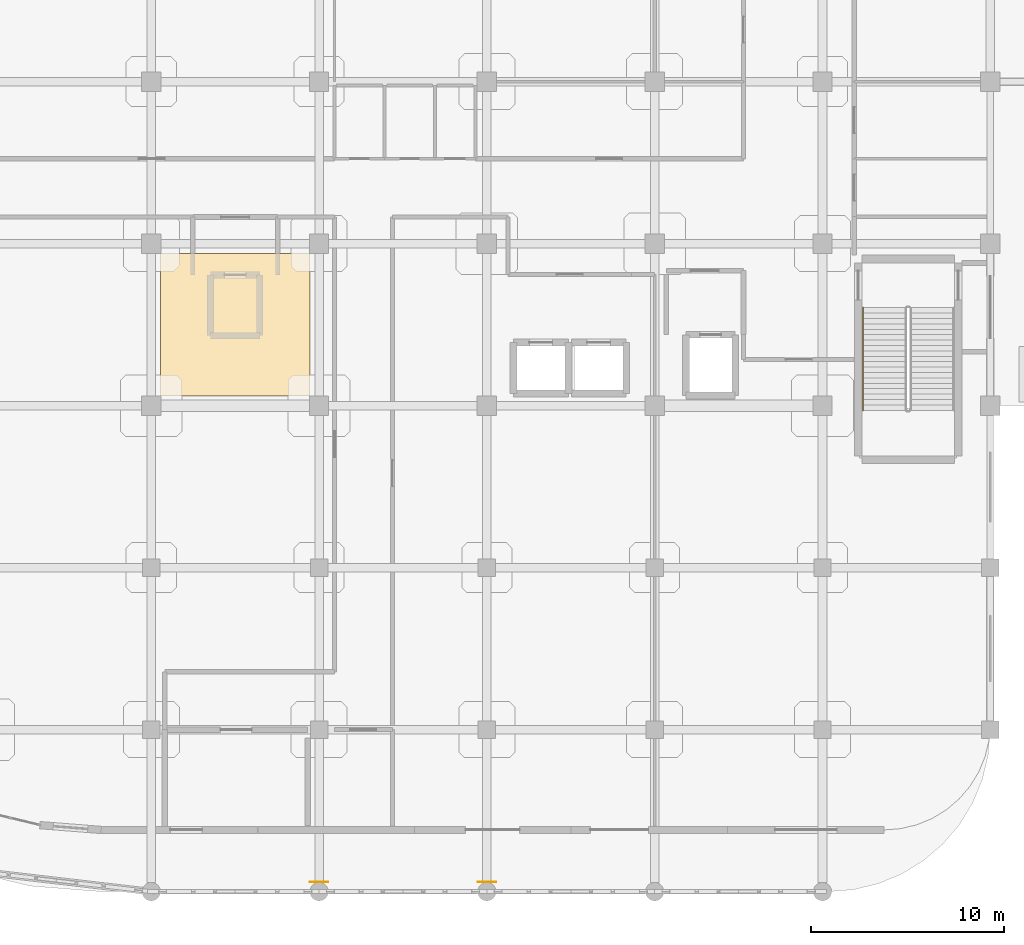
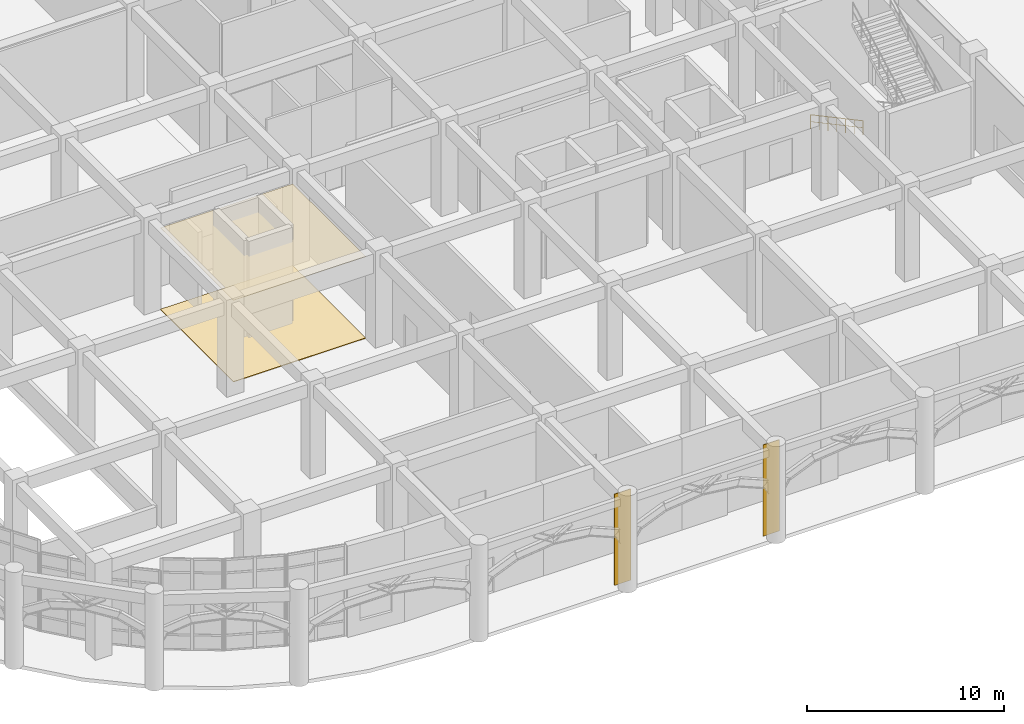
# One storey, part 73 of 82: 4 coverings, 1 railing.
"""IFC4 building model written with IfcOpenShell, lengths in metres."""

from ifc_helpers import new_model, si_unit, derived_unit, direction, frame, origin, origin_2d, place, context, subcontext, project, spatial, polyline, rectangle, circle, outline, extrude, material, layer, layer_set, type_object, element, save


model = new_model("IFC4")

# Units and contexts
model_context = context("Model", 3, precision=1e-05, world=origin(), true_north=direction((0.0, 1.0)))
body_context = subcontext(model_context, "Body", "Model", "MODEL_VIEW")
ifc_project = project(units=[si_unit("LENGTHUNIT", "METRE"), si_unit("AREAUNIT", "SQUARE_METRE"), si_unit("VOLUMEUNIT", "CUBIC_METRE"), si_unit("PLANEANGLEUNIT", "RADIAN"), si_unit("MASSUNIT", "GRAM", prefix="KILO"), derived_unit("THERMALTRANSMITTANCEUNIT", [(si_unit("MASSUNIT", "GRAM", prefix="KILO"), 1), (si_unit("TIMEUNIT", "SECOND"), -3), (si_unit("THERMODYNAMICTEMPERATUREUNIT", "KELVIN"), -1)])], contexts=[model_context])

# Site, building, storey
site_placement = place(None, origin())
site = spatial("IfcSite", under=ifc_project, at=site_placement, CompositionType="ELEMENT")
building_placement = place(site_placement, origin())
building = spatial("IfcBuilding", under=site, at=building_placement, Name="Qinzheling Arcade Emporium", CompositionType="ELEMENT")
storey_placement = place(building_placement, origin())
storey = spatial("IfcBuildingStorey", under=building, at=storey_placement, Name="L01", CompositionType="ELEMENT", Elevation=0.0)

# Coverings
ifc_material_1 = material(Name="Glazed cream terracotta rainscreen cladding", Category="masonry")
ifc_layer_1 = layer(ifc_material_1, 0.044921875, Name="Glazed cream terracotta rainscreen cladding", Category="masonry")
ifc_layer_set_1 = layer_set([ifc_layer_1], Name="Glazed cream terracotta rainscreen cladding")
covering_type_1 = type_object("IfcCoveringType", Name="Glazed Terracotta Pier Cladding Casing 45", PredefinedType="CLADDING", material=ifc_layer_set_1)
for number, where, z_axis, x_axis, name in (
    (1, (34.800048828125, 0.5, 0.0), (0.0, 0.0, 1.0), (1.0, 0.0, 0.0), "Terracotta Pier Cladding L01 1"),
    (2, (43.5, 0.5, 0.0), (0.0, 0.0, 1.0), (1.0, 0.0, 0.0), "Terracotta Pier Cladding L01 2"),
):
    element("IfcCovering", number, at=place(storey_placement, frame(where, z_axis=z_axis, x_axis=x_axis)), inside=storey, type_object=covering_type_1, Name=name, PredefinedType="CLADDING", context=body_context, shape_type="SweptSolid", body=[
        extrude(rectangle(XDim=0.949951171875, YDim=0.044921875, at=origin_2d()), origin(), (0.0, 0.0, 1.0), 5.64990234375),
    ])
ifc_material_2 = material(Name="Mineral-fibre acoustic ceiling board")
ifc_layer_2 = layer(ifc_material_2, 0.02490234375, Name="Mineral-fibre acoustic ceiling board")
ifc_layer_set_2 = layer_set([ifc_layer_2], Name="Mineral-fibre acoustic ceiling board")
covering_type_2 = type_object("IfcCoveringType", Name="Perforated Mineral Acoustic Ceiling 25", PredefinedType="CEILING", material=ifc_layer_set_2)
covering_1_placement = place(storey_placement, frame((0.0, 0.0, 5.050048828125)))
element("IfcCovering", 3, at=covering_1_placement, inside=storey, type_object=covering_type_2, Name="Acoustic Ceiling L01", PredefinedType="CEILING", context=body_context, shape_type="SweptSolid", body=[
    extrude(outline(polyline([(26.580078125, 25.699951171875), (34.320068359375, 25.699951171875), (34.320068359375, 33.10009765625), (26.580078125, 33.10009765625), (26.580078125, 25.699951171875)])), origin(), (0.0, 0.0, 1.0), 0.02490234375),
])
ifc_material_3 = material(Name="Polished terrazzo stone finish", Category="masonry")
ifc_layer_3 = layer(ifc_material_3, 0.034912109375, Name="Polished terrazzo stone finish", Category="masonry")
ifc_layer_set_3 = layer_set([ifc_layer_3], Name="Polished terrazzo stone finish")
covering_type_3 = type_object("IfcCoveringType", Name="Polished Terrazzo Retail Flooring 35", PredefinedType="FLOORING", material=ifc_layer_set_3)
covering_2_placement = place(storey_placement, origin())
element("IfcCovering", 4, at=covering_2_placement, inside=storey, type_object=covering_type_3, Name="Terrazzo Flooring L01", PredefinedType="FLOORING", context=body_context, shape_type="SweptSolid", body=[
    extrude(outline(polyline([(26.580078125, 25.699951171875), (34.320068359375, 25.699951171875), (34.320068359375, 33.10009765625), (26.580078125, 33.10009765625), (26.580078125, 25.699951171875)])), origin(), (0.0, 0.0, 1.0), 0.034912109375),
])

# Railing
ifc_material_4 = material(Name="Brushed stainless steel 304", Category="steel")
railing_type = type_object("IfcRailingType", Name="Stainless Steel Wall Handrail 900", PredefinedType="HANDRAIL", material=ifc_material_4)
railing_placement = place(storey_placement, frame((63.0, 30.280029296875, 0.14990234375)))
element("IfcRailing", 5, at=railing_placement, inside=storey, type_object=railing_type, Name="L01 ST01 stair handrail 1", PredefinedType="HANDRAIL", context=body_context, shape_type="SweptSolid", body=[
    extrude(circle(Radius=0.02392578125, at=origin_2d()), frame((0.0, 0.0, 0.8759765625), z_axis=(0.0, -0.881475760486, 0.472229270245), x_axis=(1.0, 0.0, 0.0)), (0.0, 0.0, 1.0), 6.035400390625),
    extrude(circle(Radius=0.01611328125, at=origin_2d()), frame((0.0, 0.0, 0.449951171875), z_axis=(0.0, -0.881475760486, 0.472229270245), x_axis=(1.0, 0.0, 0.0)), (0.0, 0.0, 1.0), 6.035400390625),
    extrude(circle(Radius=0.02099609375, at=origin_2d()), origin(), (0.0, 0.0, 1.0), 0.851806640625),
    extrude(circle(Radius=0.02099609375, at=origin_2d()), frame((0.0, -0.88671875, 0.47509765625)), (0.0, 0.0, 1.0), 0.851806640625),
    extrude(circle(Radius=0.02099609375, at=origin_2d()), frame((0.0, -1.7734375, 0.949951171875)), (0.0, 0.0, 1.0), 0.851806640625),
    extrude(circle(Radius=0.02099609375, at=origin_2d()), frame((0.0, -2.66015625, 1.425048828125)), (0.0, 0.0, 1.0), 0.851806640625),
    extrude(circle(Radius=0.02099609375, at=origin_2d()), frame((0.0, -3.546630859375, 1.900146484375)), (0.0, 0.0, 1.0), 0.851806640625),
    extrude(circle(Radius=0.02099609375, at=origin_2d()), frame((0.0, -4.433349609375, 2.375)), (0.0, 0.0, 1.0), 0.851806640625),
    extrude(circle(Radius=0.02099609375, at=origin_2d()), frame((0.0, -5.320068359375, 2.85009765625)), (0.0, 0.0, 1.0), 0.851806640625),
])

save(model, "model.ifc")
